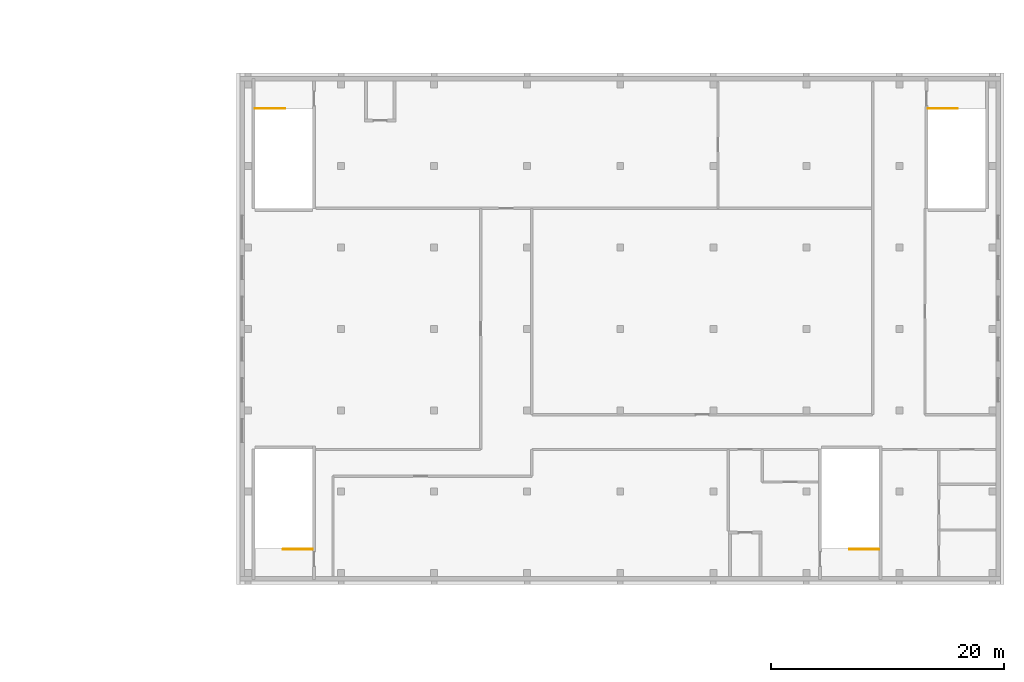
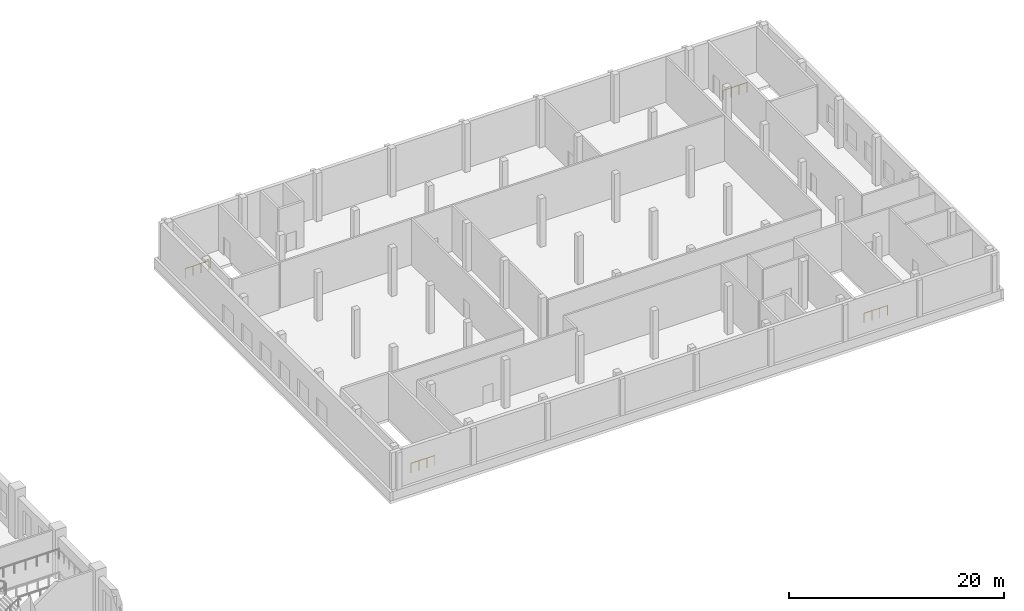
# One storey, part 25 of 25: 4 railings.
"""IFC4 building model written with IfcOpenShell, lengths in metres."""

from ifc_helpers import new_model, si_unit, direction, frame, origin, origin_2d, place, context, subcontext, project, spatial, circle, extrude, material, type_object, element, save


model = new_model("IFC4")

# Units and contexts
model_context = context("Model", 3, precision=1e-05, world=origin(), true_north=direction((0.0, 1.0)))
body_context = subcontext(model_context, "Body", "Model", "MODEL_VIEW")
ifc_project = project(units=[si_unit("LENGTHUNIT", "METRE"), si_unit("AREAUNIT", "SQUARE_METRE"), si_unit("VOLUMEUNIT", "CUBIC_METRE"), si_unit("PLANEANGLEUNIT", "RADIAN"), si_unit("MASSUNIT", "GRAM", prefix="KILO")], contexts=[model_context])

# Site, building, storey
site_placement = place(None, origin())
site = spatial("IfcSite", under=ifc_project, at=site_placement, CompositionType="ELEMENT")
building_placement = place(site_placement, origin())
building = spatial("IfcBuilding", under=site, at=building_placement, Name="Tamorin Gate", CompositionType="ELEMENT")
storey_placement = place(building_placement, frame((0.0, 0.0, 23.5)))
storey = spatial("IfcBuildingStorey", under=building, at=storey_placement, Name="L04", CompositionType="ELEMENT", Elevation=23.5)

# Railings
ifc_material = material(Name="Steel, galvanised", Category="steel")
railing_type = type_object("IfcRailingType", Name="Steel guard 1100 museum", PredefinedType="GUARDRAIL", material=ifc_material)
railing_1_placement = place(storey_placement, frame((146.300048828125, 95.64990234375, 0.0)))
element("IfcRailing", 1, at=railing_1_placement, inside=storey, type_object=railing_type, Name="L04 PS6 top well guard 1", PredefinedType="GUARDRAIL", context=body_context, shape_type="SweptSolid", body=[
    extrude(circle(Radius=0.02392578125, at=origin_2d()), frame((0.0, 0.0, 1.076171875), z_axis=(1.0, 0.0, 0.0), x_axis=(0.0, 1.0, 0.0)), (0.0, 0.0, 1.0), 2.550048828125),
    extrude(circle(Radius=0.02099609375, at=origin_2d()), origin(), (0.0, 0.0, 1.0), 1.052001953125),
    extrude(circle(Radius=0.02099609375, at=origin_2d()), frame((0.85009765625, 0.0, 0.0)), (0.0, 0.0, 1.0), 1.052001953125),
    extrude(circle(Radius=0.02099609375, at=origin_2d()), frame((1.699951171875, 0.0, 0.0)), (0.0, 0.0, 1.0), 1.052001953125),
    extrude(circle(Radius=0.02099609375, at=origin_2d()), frame((2.550048828125, 0.0, 0.0)), (0.0, 0.0, 1.0), 1.052001953125),
])
for number, where, name in (
    (2, (199.949951171875, 57.75, 0.0), "L04 PS7 top well guard 1"),
    (3, (151.25, 57.75, 0.0), "L04 PS8 top well guard 1"),
):
    element("IfcRailing", number, at=place(storey_placement, frame(where)), inside=storey, type_object=railing_type, Name=name, PredefinedType="GUARDRAIL", context=body_context, shape_type="SweptSolid", body=[
        extrude(circle(Radius=0.02392578125, at=origin_2d()), frame((0.0, 0.0, 1.076171875), z_axis=(-1.0, 0.0, 0.0), x_axis=(0.0, -1.0, 0.0)), (0.0, 0.0, 1.0), 2.550048828125),
        extrude(circle(Radius=0.02099609375, at=origin_2d()), origin(), (0.0, 0.0, 1.0), 1.052001953125),
        extrude(circle(Radius=0.02099609375, at=origin_2d()), frame((-0.85009765625, 0.0, 0.0)), (0.0, 0.0, 1.0), 1.052001953125),
        extrude(circle(Radius=0.02099609375, at=origin_2d()), frame((-1.699951171875, 0.0, 0.0)), (0.0, 0.0, 1.0), 1.052001953125),
        extrude(circle(Radius=0.02099609375, at=origin_2d()), frame((-2.550048828125, 0.0, 0.0)), (0.0, 0.0, 1.0), 1.052001953125),
    ])
railing_2_placement = place(storey_placement, frame((204.14990234375, 95.64990234375, 0.0)))
element("IfcRailing", 4, at=railing_2_placement, inside=storey, type_object=railing_type, Name="L04 PS9 top well guard 1", PredefinedType="GUARDRAIL", context=body_context, shape_type="SweptSolid", body=[
    extrude(circle(Radius=0.02392578125, at=origin_2d()), frame((0.0, 0.0, 1.076171875), z_axis=(1.0, 0.0, 0.0), x_axis=(0.0, 1.0, 0.0)), (0.0, 0.0, 1.0), 2.550048828125),
    extrude(circle(Radius=0.02099609375, at=origin_2d()), origin(), (0.0, 0.0, 1.0), 1.052001953125),
    extrude(circle(Radius=0.02099609375, at=origin_2d()), frame((0.85009765625, 0.0, 0.0)), (0.0, 0.0, 1.0), 1.052001953125),
    extrude(circle(Radius=0.02099609375, at=origin_2d()), frame((1.699951171875, 0.0, 0.0)), (0.0, 0.0, 1.0), 1.052001953125),
    extrude(circle(Radius=0.02099609375, at=origin_2d()), frame((2.550048828125, 0.0, 0.0)), (0.0, 0.0, 1.0), 1.052001953125),
])

save(model, "model.ifc")
